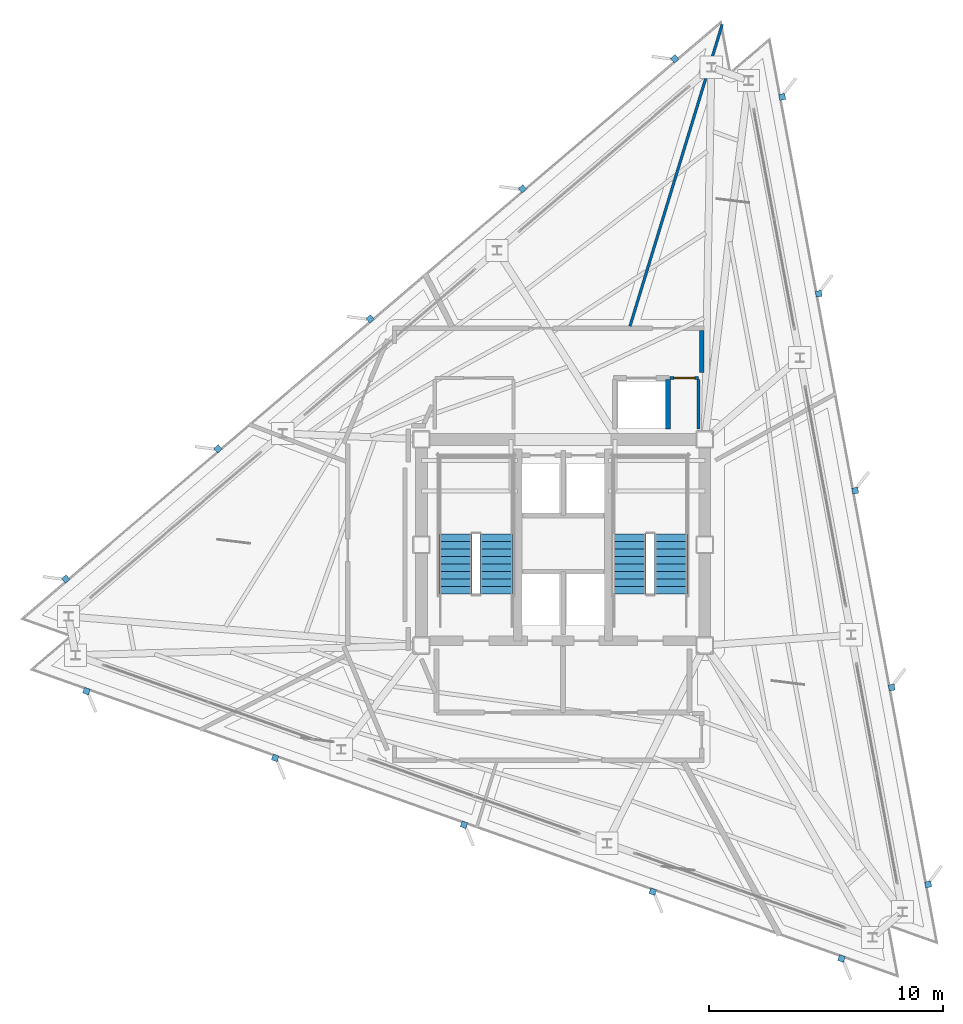
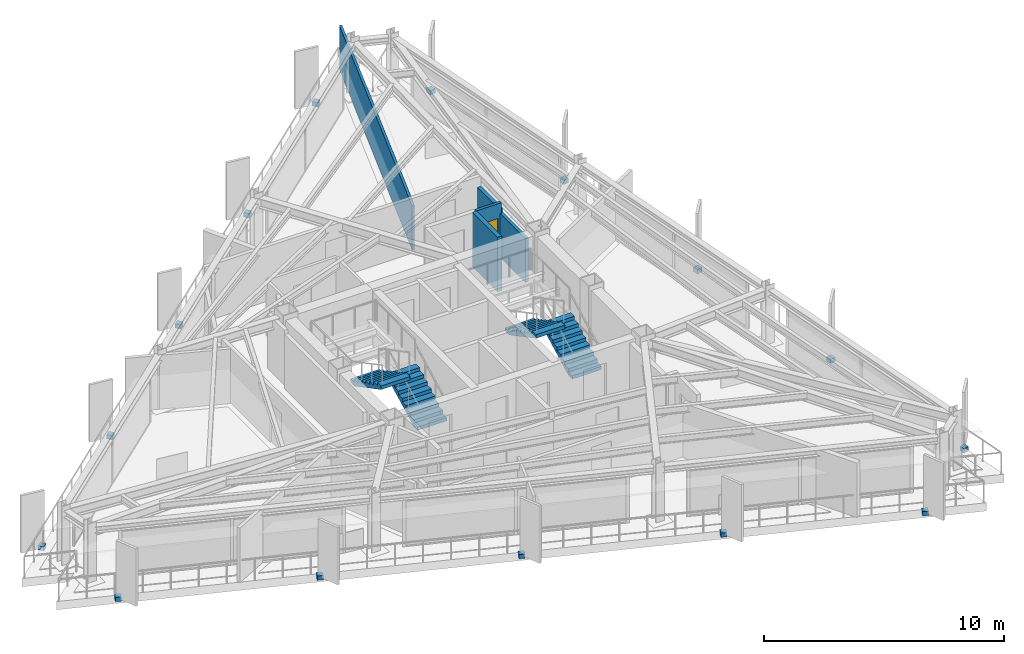
# One storey, part 10 of 14: 15 discrete accessories, 5 walls, 4 stair flights, 1 door, 1 opening, 2 elements without a shape of their own.
"""IFC4 building model written with IfcOpenShell, lengths in metres."""

from ifc_helpers import new_model, si_unit, direction, frame, frame_2d, origin, origin_2d, place, context, subcontext, project, spatial, polyline, rectangle, outline, extrude, material, layer, layer_set, type_object, element, fill, aggregate, save


model = new_model("IFC4")

# Units and contexts
model_context = context("Model", 3, precision=1e-05, world=origin(), true_north=direction((0.0, 1.0)))
body_context = subcontext(model_context, "Body", "Model", "MODEL_VIEW")
ifc_project = project(units=[si_unit("LENGTHUNIT", "METRE"), si_unit("AREAUNIT", "SQUARE_METRE"), si_unit("VOLUMEUNIT", "CUBIC_METRE"), si_unit("PLANEANGLEUNIT", "RADIAN"), si_unit("MASSUNIT", "GRAM", prefix="KILO")], contexts=[model_context])

# Site, building, storey
site_placement = place(None, origin())
site = spatial("IfcSite", under=ifc_project, at=site_placement, CompositionType="ELEMENT")
building_placement = place(site_placement, origin())
building = spatial("IfcBuilding", under=site, at=building_placement, Name="Rocaltana Carrier Exchange", CompositionType="ELEMENT")
storey_placement = place(building_placement, frame((0.0, 0.0, 175.360107421875)))
storey = spatial("IfcBuildingStorey", under=building, at=storey_placement, Name="L55", CompositionType="ELEMENT", Elevation=175.360107421875)

# Walls
ifc_material_1 = material(Name="Gypsum & Steel Stud Partition", Category="steel")
ifc_layer_1 = layer(ifc_material_1, 0.179931640625)
ifc_layer_set_1 = layer_set([ifc_layer_1], Name="Gypsum & Steel Stud Partition")
wall_type_1 = type_object("IfcWallType", Name="Corridor Fire Partition 180 EI60", PredefinedType="PARTITIONING", material=ifc_layer_set_1)
wall_1_placement = place(storey_placement, frame((5.919921875, 9.159912109375, 0.0), z_axis=(0.0, 0.0, 1.0), x_axis=(0.0, -1.0, 0.0)))
element("IfcWall", 1, at=wall_1_placement, inside=storey, type_object=wall_type_1, Name="L55 Corridor Partition 6", PredefinedType="PARTITIONING", context=body_context, shape_type="SweptSolid", body=[
    extrude(rectangle(XDim=1.7998046875, YDim=0.179931640625, at=frame_2d((0.89990234375, 0.0))), origin(), (0.0, 0.0, 1.0), 2.2529296875),
])
ifc_material_2 = material(Name="Aluminium 6063-T6 & Acoustic Glass", Category="aluminium")
ifc_layer_2 = layer(ifc_material_2, 0.114990234375)
ifc_layer_set_2 = layer_set([ifc_layer_2], Name="Aluminium 6063-T6 & Acoustic Glass")
wall_type_2 = type_object("IfcWallType", Name="Demountable Glazed Lab Partition 115", PredefinedType="MOVABLE", material=ifc_layer_set_2)
wall_2_placement = place(storey_placement, frame((2.8525390625, 9.330078125, 0.0), z_axis=(0.0, 0.0, 1.0), x_axis=(0.292365790083, 0.95630656423, 0.0)))
element("IfcWall", 2, at=wall_2_placement, inside=storey, type_object=wall_type_2, Name="L55 Suite Divider Wall D5", PredefinedType="MOVABLE", context=body_context, shape_type="SweptSolid", body=[
    extrude(rectangle(XDim=13.478515625, YDim=0.114990234375, at=frame_2d((6.7392578125, 0.0))), origin(), (0.0, 0.0, 1.0), 2.2529296875),
])
ifc_material_3 = material(Name="Reinforced Concrete Block C35/45", Category="concrete")
ifc_layer_3 = layer(ifc_material_3, 0.199951171875)
ifc_layer_set_3 = layer_set([ifc_layer_3], Name="Reinforced Concrete Block C35/45")
wall_type_3 = type_object("IfcWallType", Name="Lift Hoistway Enclosure Wall 200 EI120", PredefinedType="PARTITIONING", material=ifc_layer_set_3)
wall_3_placement = place(storey_placement, frame((4.47998046875, 4.949951171875, 0.0), z_axis=(0.0, 0.0, 1.0), x_axis=(0.0, 1.0, 0.0)))
element("IfcWall", 3, at=wall_3_placement, inside=storey, type_object=wall_type_3, Name="L55 Goods Lift East Wall", PredefinedType="PARTITIONING", context=body_context, shape_type="SweptSolid", body=[
    extrude(rectangle(XDim=2.10009765625, YDim=0.199951171875, at=frame_2d((1.050048828125, 0.0))), origin(), (0.0, 0.0, 1.0), 2.77294921875),
])
ifc_material_4 = material(Name="Moisture-Resistant Masonry C30/37", Category="masonry")
ifc_layer_4 = layer(ifc_material_4, 0.139892578125)
ifc_layer_set_4 = layer_set([ifc_layer_4], Name="Moisture-Resistant Masonry C30/37")
wall_type_4 = type_object("IfcWallType", Name="Wet-Area Sanitary Partition 140", PredefinedType="PARTITIONING", material=ifc_layer_set_4)
wall_4_placement = place(storey_placement, frame((5.780029296875, 4.949951171875, 0.0), z_axis=(0.0, 0.0, 1.0), x_axis=(0.0, 1.0, 0.0)))
element("IfcWall", 4, at=wall_4_placement, inside=storey, type_object=wall_type_4, Name="L55 Restroom East Wall", PredefinedType="PARTITIONING", context=body_context, shape_type="SweptSolid", body=[
    extrude(rectangle(XDim=2.10009765625, YDim=0.139892578125, at=frame_2d((1.050048828125, 0.0))), origin(), (0.0, 0.0, 1.0), 2.2529296875),
])

# Wall, opening, door
wall_5_placement = place(storey_placement, frame((4.56005859375, 7.1201171875, 0.0), z_axis=(0.0, 0.0, 1.0), x_axis=(1.0, 0.0, 0.0)))
wall_5 = element("IfcWall", 5, at=wall_5_placement, inside=storey, type_object=wall_type_4, Name="L55 Restroom North Wall", PredefinedType="PARTITIONING", context=body_context, shape_type="SweptSolid", body=[
    extrude(rectangle(XDim=1.219970703125, YDim=0.139892578125, at=frame_2d((0.60986328125, 0.0))), origin(), (0.0, 0.0, 1.0), 2.77294921875),
])
opening_placement = place(wall_5_placement, frame((0.169921875, 0.0, 0.0)))
opening = element("IfcOpeningElement", 6, at=opening_placement, cuts=wall_5, Name="Opening D-WC090", PredefinedType="OPENING", context=body_context, shape_type="SweptSolid", body=[
    extrude(rectangle(XDim=0.8798828125, YDim=2.02001953125, at=frame_2d((0.43994140625, 1.010009765625))), frame((0.0, 0.079833984375, 0.0), z_axis=(0.0, -1.0, 0.0), x_axis=(1.0, 0.0, 0.0)), (0.0, 0.0, 1.0), 0.159912109375),
])
ifc_material_5 = material(Name="High-Pressure Laminate Timber", Category="wood")
door_type = type_object("IfcDoorType", Name="Restroom & Accessible WC Door 880x2020", OperationType="NOTDEFINED", PredefinedType="DOOR", material=ifc_material_5)
door_placement = place(opening_placement, origin())
door = element("IfcDoor", 7, at=door_placement, inside=storey, type_object=door_type, Name="L55 Staff Restroom Door", OperationType="SINGLE_SWING_LEFT", OverallHeight=2.02001953125, OverallWidth=0.8798828125, PredefinedType="DOOR", context=body_context, shape_type="SweptSolid", body=[
    extrude(rectangle(XDim=0.8798828125, YDim=2.02001953125, at=frame_2d((0.43994140625, 1.010009765625))), frame((0.0, 0.02490234375, 0.0), z_axis=(0.0, -1.0, 0.0), x_axis=(1.0, 0.0, 0.0)), (0.0, 0.0, 1.0), 0.050048828125),
])
fill(opening, door)

# Stair, stair flights
ifc_material_6 = material(Name="Precast concrete C45/55", Category="concrete")
stair_type = type_object("IfcStairType", Name="Standard Dog-Leg Stair 160", PredefinedType="HALF_TURN_STAIR", material=ifc_material_6)
stair_1_placement = place(storey_placement, origin())
stair_1 = element("IfcStair", 8, at=stair_1_placement, inside=storey, type_object=stair_type, Name="L55 Core West Exit Stair ST-1", PredefinedType="HALF_TURN_STAIR")
ifc_material_7 = material(Name="Precast concrete C45/55", Category="concrete")
stair_flight_type = type_object("IfcStairFlightType", Name="Precast Stair Flight 160", PredefinedType="STRAIGHT", material=ifc_material_7)
stair_flight_1_placement = place(storey_placement, frame((-2.840087890625, -2.10009765625, 0.0), z_axis=(0.0, 0.0, 1.0), x_axis=(0.0, 1.0, 0.0)))
stair_flight_1 = element("IfcStairFlight", 9, at=stair_flight_1_placement, type_object=stair_flight_type, Name="ST-1 flight 1", NumberOfRisers=9, NumberOfTreads=8, PredefinedType="STRAIGHT", RiserHeight=0.168888889, TreadLength=0.32, context=body_context, shape_type="SweptSolid", body=[
    extrude(outline(polyline([(0.0, 0.0), (0.0, 0.1689453125), (0.320068359375, 0.1689453125), (0.320068359375, 0.337890625), (0.639892578125, 0.337890625), (0.639892578125, 0.506591796875), (0.9599609375, 0.506591796875), (0.9599609375, 0.675537109375), (1.280029296875, 0.675537109375), (1.280029296875, 0.844482421875), (1.60009765625, 0.844482421875), (1.60009765625, 1.013427734375), (1.919921875, 1.013427734375), (1.919921875, 1.18212890625), (2.239990234375, 1.18212890625), (2.239990234375, 1.35107421875), (2.56005859375, 1.35107421875), (2.56005859375, 1.52001953125), (2.56005859375, 1.17041015625), (0.342529296875, 0.0), (0.0, 0.0)])), frame((0.0, 0.699951171875, 0.0), z_axis=(0.0, -1.0, 0.0), x_axis=(1.0, 0.0, 0.0)), (0.0, 0.0, 1.0), 1.39990234375),
])
stair_flight_2_placement = place(storey_placement, frame((-4.60009765625, 0.4599609375, 1.519775390625), z_axis=(0.0, 0.0, 1.0), x_axis=(0.0, -1.0, 0.0)))
stair_flight_2 = element("IfcStairFlight", 10, at=stair_flight_2_placement, type_object=stair_flight_type, Name="ST-1 flight 2", NumberOfRisers=9, NumberOfTreads=8, PredefinedType="STRAIGHT", RiserHeight=0.168888889, TreadLength=0.32, context=body_context, shape_type="SweptSolid", body=[
    extrude(outline(polyline([(0.0, 0.0), (0.0, 0.1689453125), (0.320068359375, 0.1689453125), (0.320068359375, 0.337890625), (0.639892578125, 0.337890625), (0.639892578125, 0.506591796875), (0.9599609375, 0.506591796875), (0.9599609375, 0.675537109375), (1.280029296875, 0.675537109375), (1.280029296875, 0.844482421875), (1.60009765625, 0.844482421875), (1.60009765625, 1.013427734375), (1.919921875, 1.013427734375), (1.919921875, 1.18212890625), (2.239990234375, 1.18212890625), (2.239990234375, 1.35107421875), (2.56005859375, 1.35107421875), (2.56005859375, 1.52001953125), (2.56005859375, 1.17041015625), (0.342529296875, 0.0), (0.0, 0.0)])), frame((0.0, 0.699951171875, 0.0), z_axis=(0.0, -1.0, 0.0), x_axis=(1.0, 0.0, 0.0)), (0.0, 0.0, 1.0), 1.39990234375),
])
aggregate(stair_1, [stair_flight_1, stair_flight_2])

stair_2_placement = place(storey_placement, origin())
stair_2 = element("IfcStair", 11, at=stair_2_placement, inside=storey, type_object=stair_type, Name="L55 Core East Exit Stair ST-2", PredefinedType="HALF_TURN_STAIR")
stair_flight_3_placement = place(storey_placement, frame((4.60009765625, -2.10009765625, 0.0), z_axis=(0.0, 0.0, 1.0), x_axis=(0.0, 1.0, 0.0)))
stair_flight_3 = element("IfcStairFlight", 12, at=stair_flight_3_placement, type_object=stair_flight_type, Name="ST-2 flight 1", NumberOfRisers=9, NumberOfTreads=8, PredefinedType="STRAIGHT", RiserHeight=0.168888889, TreadLength=0.32, context=body_context, shape_type="SweptSolid", body=[
    extrude(outline(polyline([(0.0, 0.0), (0.0, 0.1689453125), (0.320068359375, 0.1689453125), (0.320068359375, 0.337890625), (0.639892578125, 0.337890625), (0.639892578125, 0.506591796875), (0.9599609375, 0.506591796875), (0.9599609375, 0.675537109375), (1.280029296875, 0.675537109375), (1.280029296875, 0.844482421875), (1.60009765625, 0.844482421875), (1.60009765625, 1.013427734375), (1.919921875, 1.013427734375), (1.919921875, 1.18212890625), (2.239990234375, 1.18212890625), (2.239990234375, 1.35107421875), (2.56005859375, 1.35107421875), (2.56005859375, 1.52001953125), (2.56005859375, 1.17041015625), (0.342529296875, 0.0), (0.0, 0.0)])), frame((0.0, 0.699951171875, 0.0), z_axis=(0.0, -1.0, 0.0), x_axis=(1.0, 0.0, 0.0)), (0.0, 0.0, 1.0), 1.39990234375),
])
stair_flight_4_placement = place(storey_placement, frame((2.840087890625, 0.4599609375, 1.519775390625), z_axis=(0.0, 0.0, 1.0), x_axis=(0.0, -1.0, 0.0)))
stair_flight_4 = element("IfcStairFlight", 13, at=stair_flight_4_placement, type_object=stair_flight_type, Name="ST-2 flight 2", NumberOfRisers=9, NumberOfTreads=8, PredefinedType="STRAIGHT", RiserHeight=0.168888889, TreadLength=0.32, context=body_context, shape_type="SweptSolid", body=[
    extrude(outline(polyline([(0.0, 0.0), (0.0, 0.1689453125), (0.320068359375, 0.1689453125), (0.320068359375, 0.337890625), (0.639892578125, 0.337890625), (0.639892578125, 0.506591796875), (0.9599609375, 0.506591796875), (0.9599609375, 0.675537109375), (1.280029296875, 0.675537109375), (1.280029296875, 0.844482421875), (1.60009765625, 0.844482421875), (1.60009765625, 1.013427734375), (1.919921875, 1.013427734375), (1.919921875, 1.18212890625), (2.239990234375, 1.18212890625), (2.239990234375, 1.35107421875), (2.56005859375, 1.35107421875), (2.56005859375, 1.52001953125), (2.56005859375, 1.17041015625), (0.342529296875, 0.0), (0.0, 0.0)])), frame((0.0, 0.699951171875, 0.0), z_axis=(0.0, -1.0, 0.0), x_axis=(1.0, 0.0, 0.0)), (0.0, 0.0, 1.0), 1.39990234375),
])
aggregate(stair_2, [stair_flight_3, stair_flight_4])

# Discrete accessories
ifc_material_8 = material(Name="Brushed Architectural Stainless Metal", Category="steel")
ifc_layer_5 = layer(ifc_material_8, 0.219970703125)
ifc_layer_set_5 = layer_set([ifc_layer_5], Name="Brushed Architectural Stainless Metal")
discrete_accessory_type = type_object("IfcDiscreteAccessoryType", Name="Stainless Fin Slab-Edge Bracket 260x260x220", PredefinedType="BRACKET", material=ifc_layer_set_5)
for number, where, z_axis, x_axis, name in (
    (14, (15.587890625, -14.502197265625, -0.2099609375), (0.0, 0.0, 1.0), (-0.182235525492, 0.983254907564, 0.0), "L55 Sandstone Fin Edge Bracket F1-01"),
    (15, (14.02978515625, -6.095458984375, -0.2099609375), (0.0, 0.0, 1.0), (-0.182235525492, 0.983254907564, 0.0), "L55 Sandstone Fin Edge Bracket F1-02"),
    (16, (12.4716796875, 2.3115234375, -0.2099609375), (0.0, 0.0, 1.0), (-0.182235525492, 0.983254907564, 0.0), "L55 Sandstone Fin Edge Bracket F1-03"),
    (17, (10.91357421875, 10.71826171875, -0.2099609375), (0.0, 0.0, 1.0), (-0.182235525492, 0.983254907564, 0.0), "L55 Sandstone Fin Edge Bracket F1-04"),
    (18, (9.355224609375, 19.125, -0.2099609375), (0.0, 0.0, 1.0), (-0.182235525492, 0.983254907564, 0.0), "L55 Sandstone Fin Edge Bracket F1-05"),
    (19, (4.765380859375, 20.75048828125, -0.2099609375), (0.0, 0.0, 1.0), (-0.7604059656, -0.64944804833, 0.0), "L55 Sandstone Fin Edge Bracket F2-01"),
    (20, (-1.736083984375, 15.19775390625, -0.2099609375), (0.0, 0.0, 1.0), (-0.7604059656, -0.64944804833, 0.0), "L55 Sandstone Fin Edge Bracket F2-02"),
    (21, (-8.237548828125, 9.64501953125, -0.2099609375), (0.0, 0.0, 1.0), (-0.7604059656, -0.64944804833, 0.0), "L55 Sandstone Fin Edge Bracket F2-03"),
    (22, (-14.739013671875, 4.09228515625, -0.2099609375), (0.0, 0.0, 1.0), (-0.7604059656, -0.64944804833, 0.0), "L55 Sandstone Fin Edge Bracket F2-04"),
    (23, (-21.240478515625, -1.460693359375, -0.2099609375), (0.0, 0.0, 1.0), (-0.7604059656, -0.64944804833, 0.0), "L55 Sandstone Fin Edge Bracket F2-05"),
    (24, (-20.353271484375, -6.248291015625, -0.2099609375), (0.0, 0.0, 1.0), (0.942641491092, -0.333806859234, 0.0), "L55 Sandstone Fin Edge Bracket F3-01"),
    (25, (-12.293701171875, -9.102294921875, -0.2099609375), (0.0, 0.0, 1.0), (0.942641491092, -0.333806859234, 0.0), "L55 Sandstone Fin Edge Bracket F3-02"),
    (26, (-4.23388671875, -11.956298828125, -0.2099609375), (0.0, 0.0, 1.0), (0.942641491092, -0.333806859234, 0.0), "L55 Sandstone Fin Edge Bracket F3-03"),
    (27, (3.82568359375, -14.810546875, -0.2099609375), (0.0, 0.0, 1.0), (0.942641491092, -0.333806859234, 0.0), "L55 Sandstone Fin Edge Bracket F3-04"),
    (28, (11.88525390625, -17.66455078125, -0.2099609375), (0.0, 0.0, 1.0), (0.942641491092, -0.333806859234, 0.0), "L55 Sandstone Fin Edge Bracket F3-05"),
):
    element("IfcDiscreteAccessory", number, at=place(storey_placement, frame(where, z_axis=z_axis, x_axis=x_axis)), inside=storey, type_object=discrete_accessory_type, Name=name, PredefinedType="BRACKET", context=body_context, shape_type="SweptSolid", body=[
        extrude(rectangle(XDim=0.260009765625, YDim=0.260009765625, at=origin_2d()), origin(), (0.0, 0.0, 1.0), 0.219970703125),
    ])

save(model, "model.ifc")
